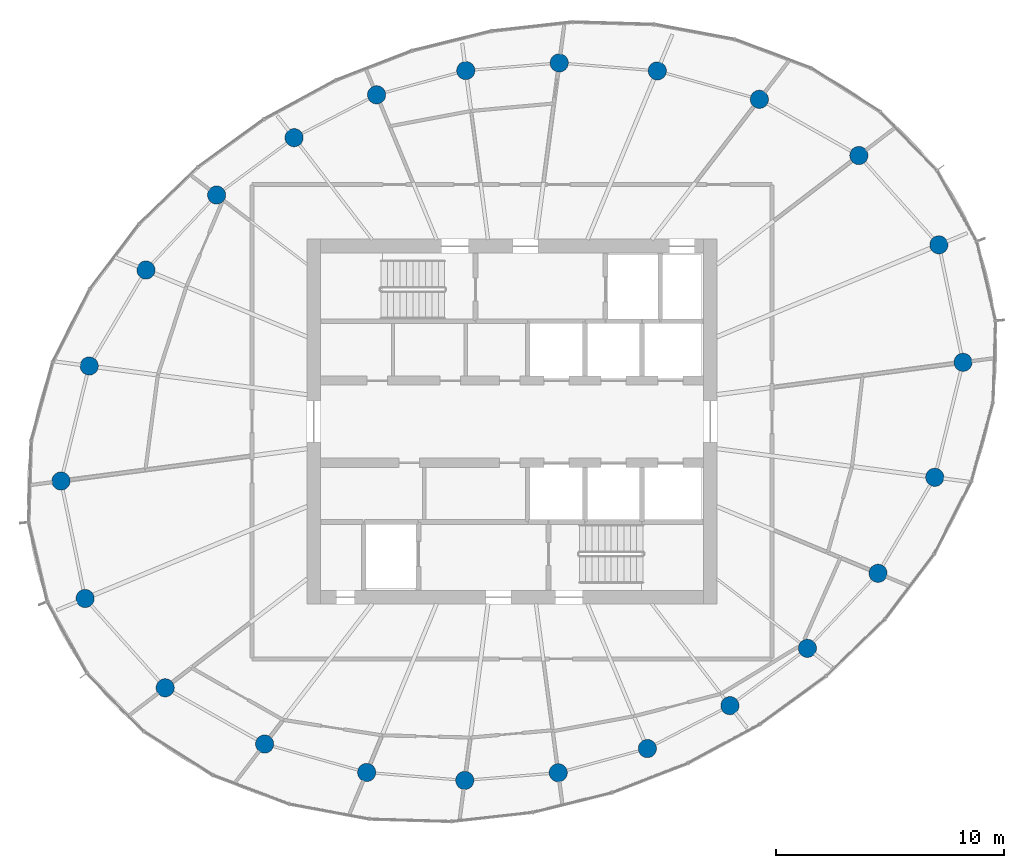
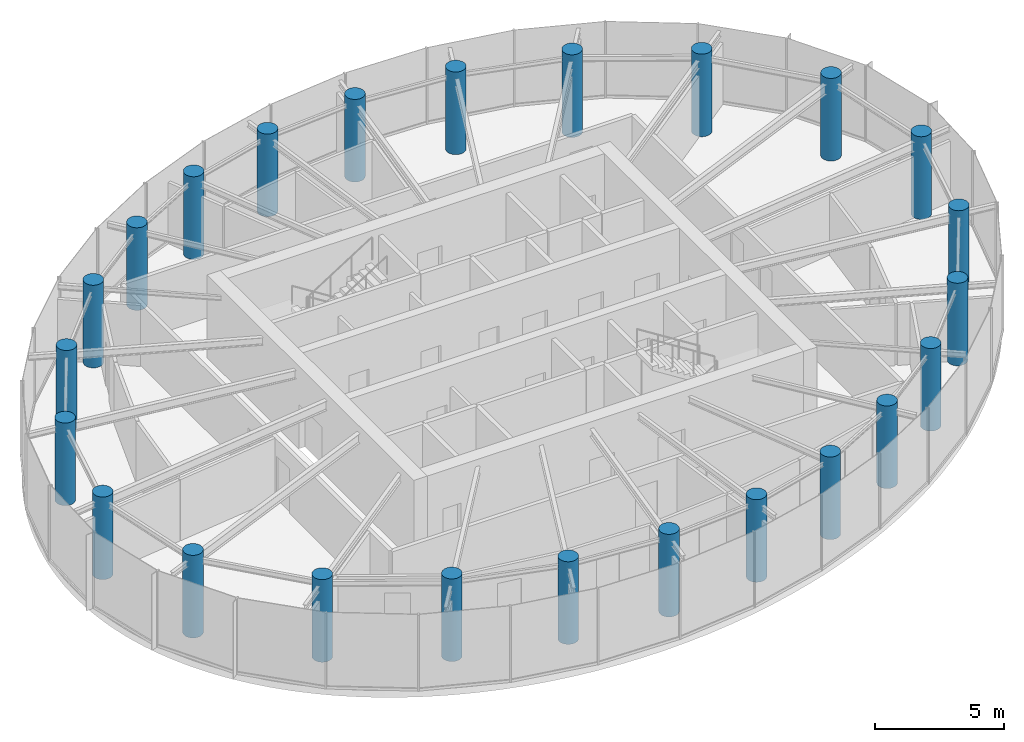
# One storey, part 1 of 13: 24 columns.
"""IFC4 building model written with IfcOpenShell, lengths in metres."""

from ifc_helpers import new_model, si_unit, direction, frame, origin, origin_2d, place, context, subcontext, project, spatial, circle, extrude, source, transform, mapped, material, material_profile, profile_set, type_object, element, save


model = new_model("IFC4")

# Units and contexts
model_context = context("Model", 3, precision=1e-05, world=origin(), true_north=direction((0.0, 1.0)))
body_context = subcontext(model_context, "Body", "Model", "MODEL_VIEW")
ifc_project = project(units=[si_unit("LENGTHUNIT", "METRE"), si_unit("AREAUNIT", "SQUARE_METRE"), si_unit("VOLUMEUNIT", "CUBIC_METRE"), si_unit("PLANEANGLEUNIT", "RADIAN"), si_unit("MASSUNIT", "GRAM", prefix="KILO")], contexts=[model_context])

# Site, building, storey
site_placement = place(None, origin())
site = spatial("IfcSite", under=ifc_project, at=site_placement, CompositionType="ELEMENT")
building_placement = place(site_placement, origin())
building = spatial("IfcBuilding", under=site, at=building_placement, Name="Spindrift Exchange Tower", CompositionType="ELEMENT")
storey_placement = place(building_placement, frame((0.0, 0.0, 242.300048828125)))
storey = spatial("IfcBuildingStorey", under=building, at=storey_placement, Name="L59", CompositionType="ELEMENT", Elevation=242.300048828125)

# Columns
ifc_material = material(Name="Concrete 40 MPa", Category="concrete")
ifc_material_profile = material_profile(ifc_material, circle(Radius=0.39990234375, at=origin_2d()), Name="RC D800")
ifc_profile_set = profile_set([ifc_material_profile], Name="Concrete 40 MPa")
column_type = type_object("IfcColumnType", Name="RC Perimeter Column D800 Concrete 40 MPa", PredefinedType="COLUMN", material=ifc_profile_set)
shared_shape = source(origin(), body_context, "Body", "SweptSolid", [
    extrude(circle(Radius=0.39990234375, at=origin_2d()), origin(), (0.0, 0.0, 1.0), 3.89990234375),
])
for number, where, z_axis, x_axis, name in (
    (1, (71.77734375, 50.603759765625, 0.0), (0.0, 0.0, 1.0), (1.0, 0.0, 0.0), "Perimeter column P5-01 L59"),
    (2, (70.719482421875, 55.75390625, 0.0), (0.0, 0.0, 1.0), (1.0, 0.0, 0.0), "Perimeter column P5-02 L59"),
    (3, (67.20947265625, 59.670654296875, 0.0), (0.0, 0.0, 1.0), (1.0, 0.0, 0.0), "Perimeter column P5-03 L59"),
    (4, (62.846923828125, 62.135986328125, 0.0), (0.0, 0.0, 1.0), (1.0, 0.0, 0.0), "Perimeter column P5-04 L59"),
    (5, (58.37158203125, 63.382568359375, 0.0), (0.0, 0.0, 1.0), (1.0, 0.0, 0.0), "Perimeter column P5-05 L59"),
    (6, (54.071044921875, 63.731201171875, 0.0), (0.0, 0.0, 1.0), (1.0, 0.0, 0.0), "Perimeter column P5-06 L59"),
    (7, (49.97314453125, 63.39599609375, 0.0), (0.0, 0.0, 1.0), (1.0, 0.0, 0.0), "Perimeter column P5-07 L59"),
    (8, (46.062744140625, 62.333984375, 0.0), (0.0, 0.0, 1.0), (1.0, 0.0, 0.0), "Perimeter column P5-08 L59"),
    (9, (42.4443359375, 60.453369140625, 0.0), (0.0, 0.0, 1.0), (1.0, 0.0, 0.0), "Perimeter column P5-09 L59"),
    (10, (39.046875, 57.939208984375, 0.0), (0.0, 0.0, 1.0), (1.0, 0.0, 0.0), "Perimeter column P5-10 L59"),
    (11, (35.948486328125, 54.648681640625, 0.0), (0.0, 0.0, 1.0), (1.0, 0.0, 0.0), "Perimeter column P5-11 L59"),
    (12, (33.4599609375, 50.44091796875, 0.0), (0.0, 0.0, 1.0), (1.0, 0.0, 0.0), "Perimeter column P5-12 L59"),
    (13, (32.22265625, 45.396240234375, 0.0), (0.0, 0.0, 1.0), (1.0, 0.0, 0.0), "Perimeter column P5-13 L59"),
    (14, (33.280517578125, 40.24609375, 0.0), (0.0, 0.0, 1.0), (1.0, 0.0, 0.0), "Perimeter column P5-14 L59"),
    (15, (36.79052734375, 36.329345703125, 0.0), (0.0, 0.0, 1.0), (1.0, 0.0, 0.0), "Perimeter column P5-15 L59"),
    (16, (41.153076171875, 33.864013671875, 0.0), (0.0, 0.0, 1.0), (1.0, 0.0, 0.0), "Perimeter column P5-16 L59"),
    (17, (45.62841796875, 32.617431640625, 0.0), (0.0, 0.0, 1.0), (1.0, 0.0, 0.0), "Perimeter column P5-17 L59"),
    (18, (49.928955078125, 32.268798828125, 0.0), (0.0, 0.0, 1.0), (1.0, 0.0, 0.0), "Perimeter column P5-18 L59"),
    (19, (54.02685546875, 32.60400390625, 0.0), (0.0, 0.0, 1.0), (1.0, 0.0, 0.0), "Perimeter column P5-19 L59"),
    (20, (57.937255859375, 33.666015625, 0.0), (0.0, 0.0, 1.0), (1.0, 0.0, 0.0), "Perimeter column P5-20 L59"),
    (21, (61.5556640625, 35.546630859375, 0.0), (0.0, 0.0, 1.0), (1.0, 0.0, 0.0), "Perimeter column P5-21 L59"),
    (22, (64.953125, 38.060791015625, 0.0), (0.0, 0.0, 1.0), (1.0, 0.0, 0.0), "Perimeter column P5-22 L59"),
    (23, (68.051513671875, 41.351318359375, 0.0), (0.0, 0.0, 1.0), (1.0, 0.0, 0.0), "Perimeter column P5-23 L59"),
    (24, (70.5400390625, 45.55908203125, 0.0), (0.0, 0.0, 1.0), (1.0, 0.0, 0.0), "Perimeter column P5-24 L59"),
):
    element("IfcColumn", number, at=place(storey_placement, frame(where, z_axis=z_axis, x_axis=x_axis)), inside=storey, type_object=column_type, Name=name, PredefinedType="COLUMN", context=body_context, shape_type="MappedRepresentation", body=[
        mapped(shared_shape, transform((0.0, 0.0, 0.0), scale=1.0)),
    ])

save(model, "model.ifc")
